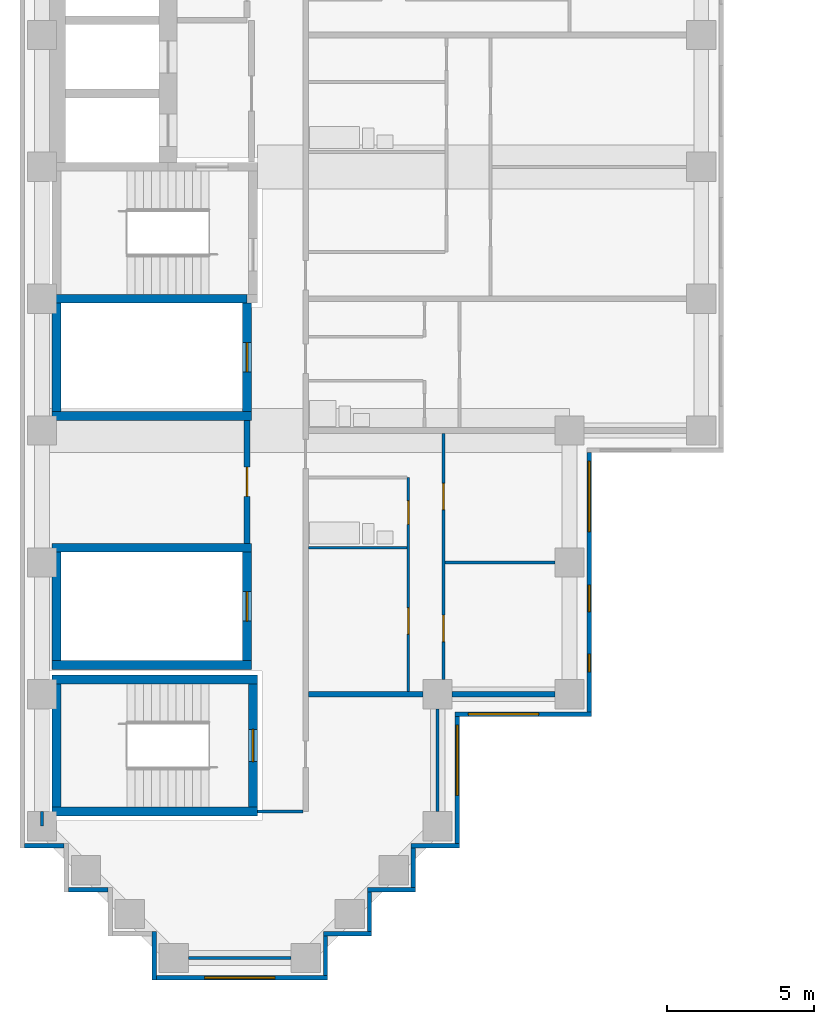
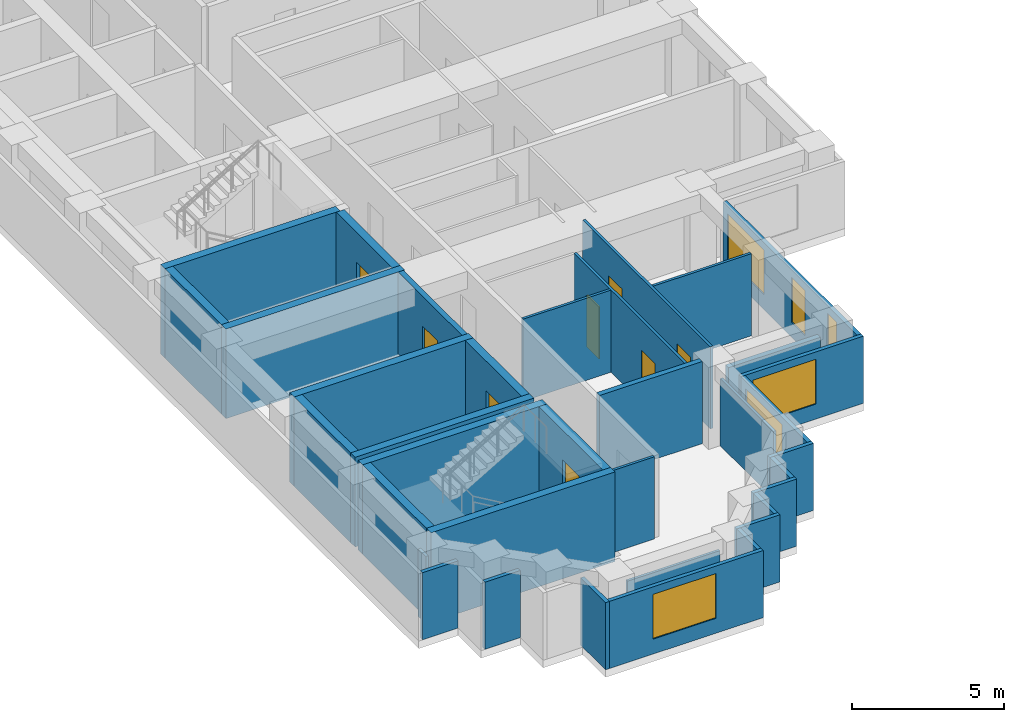
# One storey, part 2 of 12: 36 walls, 8 doors, 6 windows, 14 openings.
"""IFC4 building model written with IfcOpenShell, lengths in metres."""

from ifc_helpers import new_model, si_unit, direction, frame, frame_2d, origin, place, context, subcontext, project, spatial, rectangle, extrude, material, layer, layer_set, type_object, element, fill, save


model = new_model("IFC4")

# Units and contexts
model_context = context("Model", 3, precision=1e-05, world=origin(), true_north=direction((0.0, 1.0)))
body_context = subcontext(model_context, "Body", "Model", "MODEL_VIEW")
ifc_project = project(units=[si_unit("LENGTHUNIT", "METRE"), si_unit("AREAUNIT", "SQUARE_METRE"), si_unit("VOLUMEUNIT", "CUBIC_METRE"), si_unit("PLANEANGLEUNIT", "RADIAN"), si_unit("MASSUNIT", "GRAM", prefix="KILO")], contexts=[model_context])

# Site, building, storey
site_placement = place(None, origin())
site = spatial("IfcSite", under=ifc_project, at=site_placement, CompositionType="ELEMENT")
building_placement = place(site_placement, origin())
building = spatial("IfcBuilding", under=site, at=building_placement, Name="Firuza Court", CompositionType="ELEMENT")
storey_placement = place(building_placement, frame((0.0, 0.0, 144.800048828125)))
storey = spatial("IfcBuildingStorey", under=building, at=storey_placement, Name="L36", CompositionType="ELEMENT", Elevation=144.800048828125)

# Walls
ifc_material_1 = material(Name="Moisture-resistant gypsum board partition")
ifc_layer_1 = layer(ifc_material_1, 0.10009765625)
ifc_layer_set_1 = layer_set([ifc_layer_1], Name="Moisture-resistant gypsum board partition")
wall_type_1 = type_object("IfcWallType", Name="Bathroom partition 100", PredefinedType="PLUMBINGWALL", material=ifc_layer_set_1)
wall_1_placement = place(storey_placement, frame((9.10009765625, 14.0, 0.0), z_axis=(0.0, 0.0, 1.0), x_axis=(1.0, 0.0, 0.0)))
element("IfcWall", 1, at=wall_1_placement, inside=storey, type_object=wall_type_1, Name="Bathroom partition 100 L36", PredefinedType="PLUMBINGWALL", context=body_context, shape_type="SweptSolid", body=[
    extrude(rectangle(XDim=3.349853515625, YDim=0.10009765625, at=frame_2d((1.6748046875, 0.0))), origin(), (0.0, 0.0, 1.0), 3.300048828125),
])
ifc_material_2 = material(Name="Concrete C60/75", Category="concrete")
ifc_layer_2 = layer(ifc_material_2, 0.300048828125)
ifc_layer_set_2 = layer_set([ifc_layer_2], Name="Concrete C60/75")
wall_type_2 = type_object("IfcWallType", Name="Core wall 300 C60/75", PredefinedType="SHEAR", material=ifc_layer_set_2)
for number, where, z_axis, x_axis, name in (
    (2, (0.35009765625, 5.0, -0.300048828125), (0.0, 0.0, 1.0), (1.0, 0.0, 0.0), "Core wall stair L36"),
    (3, (0.35009765625, 9.5, -0.300048828125), (0.0, 0.0, 1.0), (1.0, 0.0, 0.0), "Core wall stair L36"),
):
    element("IfcWall", number, at=place(storey_placement, frame(where, z_axis=z_axis, x_axis=x_axis)), inside=storey, type_object=wall_type_2, Name=name, PredefinedType="SHEAR", context=body_context, shape_type="SweptSolid", body=[
        extrude(rectangle(XDim=7.0, YDim=0.300048828125, at=frame_2d((3.5, 0.0))), origin(), (0.0, 0.0, 1.0), 3.60009765625),
    ])
for number, where, z_axis, x_axis, name in (
    (4, (0.35009765625, 10.0, -0.300048828125), (0.0, 0.0, 1.0), (1.0, 0.0, 0.0), "Core wall riser L36"),
    (5, (0.35009765625, 14.0, -0.300048828125), (0.0, 0.0, 1.0), (1.0, 0.0, 0.0), "Core wall riser L36"),
    (6, (0.35009765625, 18.5, -0.300048828125), (0.0, 0.0, 1.0), (1.0, 0.0, 0.0), "Core wall riser L36"),
):
    element("IfcWall", number, at=place(storey_placement, frame(where, z_axis=z_axis, x_axis=x_axis)), inside=storey, type_object=wall_type_2, Name=name, PredefinedType="SHEAR", context=body_context, shape_type="SweptSolid", body=[
        extrude(rectangle(XDim=6.7998046875, YDim=0.300048828125, at=frame_2d((3.39990234375, 0.0))), origin(), (0.0, 0.0, 1.0), 3.60009765625),
    ])
wall_2_placement = place(storey_placement, frame((0.35009765625, 22.5, -0.300048828125), z_axis=(0.0, 0.0, 1.0), x_axis=(1.0, 0.0, 0.0)))
element("IfcWall", 7, at=wall_2_placement, inside=storey, type_object=wall_type_2, Name="Core wall riser L36", PredefinedType="SHEAR", context=body_context, shape_type="SweptSolid", body=[
    extrude(rectangle(XDim=6.64990234375, YDim=0.300048828125, at=frame_2d((3.324951171875, 0.0))), origin(), (0.0, 0.0, 1.0), 3.60009765625),
])
wall_3_placement = place(storey_placement, frame((0.5, 5.14990234375, -0.300048828125), z_axis=(0.0, 0.0, 1.0), x_axis=(0.0, 1.0, 0.0)))
element("IfcWall", 8, at=wall_3_placement, inside=storey, type_object=wall_type_2, Name="Core wall stair L36", PredefinedType="SHEAR", context=body_context, shape_type="SweptSolid", body=[
    extrude(rectangle(XDim=4.2001953125, YDim=0.300048828125, at=frame_2d((2.10009765625, 0.0))), origin(), (0.0, 0.0, 1.0), 3.60009765625),
])
for number, where, z_axis, x_axis, name in (
    (9, (0.5, 10.14990234375, -0.300048828125), (0.0, 0.0, 1.0), (0.0, 1.0, 0.0), "Core wall riser L36"),
    (10, (0.5, 18.64990234375, -0.300048828125), (0.0, 0.0, 1.0), (0.0, 1.0, 0.0), "Core wall riser L36"),
):
    element("IfcWall", number, at=place(storey_placement, frame(where, z_axis=z_axis, x_axis=x_axis)), inside=storey, type_object=wall_type_2, Name=name, PredefinedType="SHEAR", context=body_context, shape_type="SweptSolid", body=[
        extrude(rectangle(XDim=3.7001953125, YDim=0.300048828125, at=frame_2d((1.85009765625, 0.0))), origin(), (0.0, 0.0, 1.0), 3.60009765625),
    ])

# Wall, opening, door
wall_4_placement = place(storey_placement, frame((7.0, 10.14990234375, -0.300048828125), z_axis=(0.0, 0.0, 1.0), x_axis=(0.0, 1.0, 0.0)))
wall_4 = element("IfcWall", 11, at=wall_4_placement, inside=storey, type_object=wall_type_2, Name="Core wall riser L36", PredefinedType="SHEAR", context=body_context, shape_type="SweptSolid", body=[
    extrude(rectangle(XDim=3.7001953125, YDim=0.300048828125, at=frame_2d((1.85009765625, 0.0))), origin(), (0.0, 0.0, 1.0), 3.60009765625),
])
opening_1_placement = place(wall_4_placement, frame((1.35009765625, 0.0, 0.300048828125)))
opening_1 = element("IfcOpeningElement", 12, at=opening_1_placement, cuts=wall_4, Name="Opening D36011", PredefinedType="OPENING", context=body_context, shape_type="SweptSolid", body=[
    extrude(rectangle(XDim=1.0, YDim=2.10009765625, at=frame_2d((0.5, 1.050048828125))), frame((0.0, 0.162109375, 0.0), z_axis=(0.0, -1.0, 0.0), x_axis=(1.0, 0.0, 0.0)), (0.0, 0.0, 1.0), 0.323974609375),
])
ifc_material_3 = material(Name="Timber door leaf in hardwood frame", Category="wood")
door_type_1 = type_object("IfcDoorType", Name="Riser door 1000", OperationType="SINGLE_SWING_LEFT", PredefinedType="DOOR", material=ifc_material_3)
door_1_placement = place(opening_1_placement, origin())
door_1 = element("IfcDoor", 13, at=door_1_placement, inside=storey, type_object=door_type_1, Name="Riser door R4", OperationType="SINGLE_SWING_LEFT", OverallHeight=2.10009765625, OverallWidth=1.0, PredefinedType="DOOR", context=body_context, shape_type="SweptSolid", body=[
    extrude(rectangle(XDim=1.0, YDim=2.10009765625, at=frame_2d((0.5, 1.050048828125))), frame((0.0, 0.02490234375, 0.0), z_axis=(0.0, -1.0, 0.0), x_axis=(1.0, 0.0, 0.0)), (0.0, 0.0, 1.0), 0.050048828125),
])
fill(opening_1, door_1)

wall_5_placement = place(storey_placement, frame((7.0, 18.64990234375, -0.300048828125), z_axis=(0.0, 0.0, 1.0), x_axis=(0.0, 1.0, 0.0)))
wall_5 = element("IfcWall", 14, at=wall_5_placement, inside=storey, type_object=wall_type_2, Name="Core wall riser L36", PredefinedType="SHEAR", context=body_context, shape_type="SweptSolid", body=[
    extrude(rectangle(XDim=3.7001953125, YDim=0.300048828125, at=frame_2d((1.85009765625, 0.0))), origin(), (0.0, 0.0, 1.0), 3.60009765625),
])
opening_2_placement = place(wall_5_placement, frame((1.35009765625, 0.0, 0.300048828125)))
opening_2 = element("IfcOpeningElement", 15, at=opening_2_placement, cuts=wall_5, Name="Opening D36009", PredefinedType="OPENING", context=body_context, shape_type="SweptSolid", body=[
    extrude(rectangle(XDim=1.0, YDim=2.10009765625, at=frame_2d((0.5, 1.050048828125))), frame((0.0, 0.162109375, 0.0), z_axis=(0.0, -1.0, 0.0), x_axis=(1.0, 0.0, 0.0)), (0.0, 0.0, 1.0), 0.323974609375),
])
door_2_placement = place(opening_2_placement, origin())
door_2 = element("IfcDoor", 16, at=door_2_placement, inside=storey, type_object=door_type_1, Name="Riser door R1", OperationType="SINGLE_SWING_LEFT", OverallHeight=2.10009765625, OverallWidth=1.0, PredefinedType="DOOR", context=body_context, shape_type="SweptSolid", body=[
    extrude(rectangle(XDim=1.0, YDim=2.10009765625, at=frame_2d((0.5, 1.050048828125))), frame((0.0, 0.02490234375, 0.0), z_axis=(0.0, -1.0, 0.0), x_axis=(1.0, 0.0, 0.0)), (0.0, 0.0, 1.0), 0.050048828125),
])
fill(opening_2, door_2)

wall_6_placement = place(storey_placement, frame((7.199951171875, 5.14990234375, -0.300048828125), z_axis=(0.0, 0.0, 1.0), x_axis=(0.0, 1.0, 0.0)))
wall_6 = element("IfcWall", 17, at=wall_6_placement, inside=storey, type_object=wall_type_2, Name="Core wall stair L36", PredefinedType="SHEAR", context=body_context, shape_type="SweptSolid", body=[
    extrude(rectangle(XDim=4.2001953125, YDim=0.300048828125, at=frame_2d((2.10009765625, 0.0))), origin(), (0.0, 0.0, 1.0), 3.60009765625),
])
opening_3_placement = place(wall_6_placement, frame((1.550048828125, 0.0, 0.300048828125)))
opening_3 = element("IfcOpeningElement", 18, at=opening_3_placement, cuts=wall_6, Name="Opening D36017", PredefinedType="OPENING", context=body_context, shape_type="SweptSolid", body=[
    extrude(rectangle(XDim=1.10009765625, YDim=2.10009765625, at=frame_2d((0.550048828125, 1.050048828125))), frame((0.0, 0.162109375, 0.0), z_axis=(0.0, -1.0, 0.0), x_axis=(1.0, 0.0, 0.0)), (0.0, 0.0, 1.0), 0.323974609375),
])
ifc_material_4 = material(Name="Timber door leaf in hardwood frame", Category="wood")
door_type_2 = type_object("IfcDoorType", Name="Stair door 1100", OperationType="SINGLE_SWING_LEFT", PredefinedType="DOOR", material=ifc_material_4)
door_3_placement = place(opening_3_placement, origin())
door_3 = element("IfcDoor", 19, at=door_3_placement, inside=storey, type_object=door_type_2, Name="Stair door S5", OperationType="SINGLE_SWING_LEFT", OverallHeight=2.10009765625, OverallWidth=1.10009765625, PredefinedType="DOOR", context=body_context, shape_type="SweptSolid", body=[
    extrude(rectangle(XDim=1.10009765625, YDim=2.10009765625, at=frame_2d((0.550048828125, 1.050048828125))), frame((0.0, 0.02490234375, 0.0), z_axis=(0.0, -1.0, 0.0), x_axis=(1.0, 0.0, 0.0)), (0.0, 0.0, 1.0), 0.050048828125),
])
fill(opening_3, door_3)

ifc_material_5 = material(Name="Blockwork, plastered both sides", Category="masonry")
ifc_layer_3 = layer(ifc_material_5, 0.199951171875)
ifc_layer_set_3 = layer_set([ifc_layer_3], Name="Blockwork, plastered both sides")
wall_type_3 = type_object("IfcWallType", Name="Corridor wall 200", PredefinedType="PARTITIONING", material=ifc_layer_set_3)
wall_7_placement = place(storey_placement, frame((7.0, 14.14990234375, 0.0), z_axis=(0.0, 0.0, 1.0), x_axis=(0.0, 1.0, 0.0)))
wall_7 = element("IfcWall", 20, at=wall_7_placement, inside=storey, type_object=wall_type_3, Name="Corridor wall 200 L36", PredefinedType="PARTITIONING", context=body_context, shape_type="SweptSolid", body=[
    extrude(rectangle(XDim=4.2001953125, YDim=0.199951171875, at=frame_2d((2.10009765625, 0.0))), origin(), (0.0, 0.0, 1.0), 3.300048828125),
])
opening_4_placement = place(wall_7_placement, frame((1.60009765625, 0.0, 0.0)))
opening_4 = element("IfcOpeningElement", 21, at=opening_4_placement, cuts=wall_7, Name="Opening D36026", PredefinedType="OPENING", context=body_context, shape_type="SweptSolid", body=[
    extrude(rectangle(XDim=1.0, YDim=2.10009765625, at=frame_2d((0.5, 1.050048828125))), frame((0.0, 0.11181640625, 0.0), z_axis=(0.0, -1.0, 0.0), x_axis=(1.0, 0.0, 0.0)), (0.0, 0.0, 1.0), 0.223876953125),
])
ifc_material_6 = material(Name="Timber door leaf in hardwood frame", Category="wood")
door_type_3 = type_object("IfcDoorType", Name="Store door 1000", OperationType="SINGLE_SWING_LEFT", PredefinedType="DOOR", material=ifc_material_6)
door_4_placement = place(opening_4_placement, origin())
door_4 = element("IfcDoor", 22, at=door_4_placement, inside=storey, type_object=door_type_3, Name="Electrical room door", OperationType="SINGLE_SWING_LEFT", OverallHeight=2.10009765625, OverallWidth=1.0, PredefinedType="DOOR", context=body_context, shape_type="SweptSolid", body=[
    extrude(rectangle(XDim=1.0, YDim=2.10009765625, at=frame_2d((0.5, 1.050048828125))), frame((0.0, 0.02490234375, 0.0), z_axis=(0.0, -1.0, 0.0), x_axis=(1.0, 0.0, 0.0)), (0.0, 0.0, 1.0), 0.050048828125),
])
fill(opening_4, door_4)

# Walls
ifc_material_7 = material(Name="Timber stud partition, plasterboard both sides", Category="wood")
ifc_layer_4 = layer(ifc_material_7, 0.10009765625)
ifc_layer_set_4 = layer_set([ifc_layer_4], Name="Timber stud partition, plasterboard both sides")
wall_type_4 = type_object("IfcWallType", Name="Partition wall 100", PredefinedType="PARTITIONING", material=ifc_layer_set_4)
wall_8_placement = place(storey_placement, frame((5.0, 0.0, 0.0), z_axis=(0.0, 0.0, 1.0), x_axis=(1.0, 0.0, 0.0)))
element("IfcWall", 23, at=wall_8_placement, inside=storey, type_object=wall_type_4, Name="Partition wall 100 L36", PredefinedType="PARTITIONING", context=body_context, shape_type="SweptSolid", body=[
    extrude(rectangle(XDim=3.5, YDim=0.10009765625, at=frame_2d((1.75, 0.0))), origin(), (0.0, 0.0, 1.0), 2.699951171875),
])
wall_9_placement = place(storey_placement, frame((0.0, 4.5, 0.0), z_axis=(0.0, 0.0, 1.0), x_axis=(0.0, 1.0, 0.0)))
element("IfcWall", 24, at=wall_9_placement, inside=storey, type_object=wall_type_4, Name="Partition wall 100 L36", PredefinedType="PARTITIONING", context=body_context, shape_type="SweptSolid", body=[
    extrude(rectangle(XDim=0.5, YDim=0.10009765625, at=frame_2d((0.25, 0.0))), origin(), (0.0, 0.0, 1.0), 2.699951171875),
])
wall_10_placement = place(storey_placement, frame((7.34912109375, 5.0, 0.0), z_axis=(0.0, 0.0, 1.0), x_axis=(1.0, 0.0, 0.0)))
element("IfcWall", 25, at=wall_10_placement, inside=storey, type_object=wall_type_4, Name="Partition wall 100 L36", PredefinedType="PARTITIONING", context=body_context, shape_type="SweptSolid", body=[
    extrude(rectangle(XDim=1.55078125, YDim=0.10009765625, at=frame_2d((0.775390625, 0.0))), origin(), (0.0, 0.0, 1.0), 3.300048828125),
])
wall_11_placement = place(storey_placement, frame((13.5, 5.0, 0.0), z_axis=(0.0, 0.0, 1.0), x_axis=(0.0, 1.0, 0.0)))
element("IfcWall", 26, at=wall_11_placement, inside=storey, type_object=wall_type_4, Name="Partition wall 100 L36", PredefinedType="PARTITIONING", context=body_context, shape_type="SweptSolid", body=[
    extrude(rectangle(XDim=3.5, YDim=0.10009765625, at=frame_2d((1.75, 0.0))), origin(), (0.0, 0.0, 1.0), 2.699951171875),
])

# Wall, openings, doors
wall_12_placement = place(storey_placement, frame((12.5, 9.10009765625, 0.0), z_axis=(0.0, 0.0, 1.0), x_axis=(0.0, 1.0, 0.0)))
wall_12 = element("IfcWall", 27, at=wall_12_placement, inside=storey, type_object=wall_type_4, Name="Partition wall 100 L36", PredefinedType="PARTITIONING", context=body_context, shape_type="SweptSolid", body=[
    extrude(rectangle(XDim=7.2998046875, YDim=0.10009765625, at=frame_2d((3.64990234375, 0.0))), origin(), (0.0, 0.0, 1.0), 3.300048828125),
])
opening_5_placement = place(wall_12_placement, frame((5.699951171875, 0.0, 0.0)))
opening_5 = element("IfcOpeningElement", 28, at=opening_5_placement, cuts=wall_12, Name="Opening D36022", PredefinedType="OPENING", context=body_context, shape_type="SweptSolid", body=[
    extrude(rectangle(XDim=0.800048828125, YDim=2.10009765625, at=frame_2d((0.39990234375, 1.050048828125))), frame((0.0, 0.06201171875, 0.0), z_axis=(0.0, -1.0, 0.0), x_axis=(1.0, 0.0, 0.0)), (0.0, 0.0, 1.0), 0.1240234375),
])
opening_6_placement = place(wall_12_placement, frame((1.949951171875, 0.0, 0.0)))
opening_6 = element("IfcOpeningElement", 29, at=opening_6_placement, cuts=wall_12, Name="Opening D36023", PredefinedType="OPENING", context=body_context, shape_type="SweptSolid", body=[
    extrude(rectangle(XDim=0.89990234375, YDim=2.10009765625, at=frame_2d((0.449951171875, 1.050048828125))), frame((0.0, 0.06201171875, 0.0), z_axis=(0.0, -1.0, 0.0), x_axis=(1.0, 0.0, 0.0)), (0.0, 0.0, 1.0), 0.1240234375),
])
ifc_material_8 = material(Name="Timber door leaf in hardwood frame", Category="wood")
door_type_4 = type_object("IfcDoorType", Name="Bathroom door 800", OperationType="SINGLE_SWING_LEFT", PredefinedType="DOOR", material=ifc_material_8)
door_5_placement = place(opening_5_placement, origin())
door_5 = element("IfcDoor", 30, at=door_5_placement, inside=storey, type_object=door_type_4, Name="Bathroom door", OperationType="SINGLE_SWING_LEFT", OverallHeight=2.10009765625, OverallWidth=0.800048828125, PredefinedType="DOOR", context=body_context, shape_type="SweptSolid", body=[
    extrude(rectangle(XDim=0.800048828125, YDim=2.10009765625, at=frame_2d((0.39990234375, 1.050048828125))), frame((0.0, 0.02490234375, 0.0), z_axis=(0.0, -1.0, 0.0), x_axis=(1.0, 0.0, 0.0)), (0.0, 0.0, 1.0), 0.050048828125),
])
fill(opening_5, door_5)
ifc_material_9 = material(Name="Timber door leaf in hardwood frame", Category="wood")
door_type_5 = type_object("IfcDoorType", Name="Room door 900", OperationType="SINGLE_SWING_LEFT", PredefinedType="DOOR", material=ifc_material_9)
door_6_placement = place(opening_6_placement, origin())
door_6 = element("IfcDoor", 31, at=door_6_placement, inside=storey, type_object=door_type_5, Name="Kitchen door", OperationType="SINGLE_SWING_LEFT", OverallHeight=2.10009765625, OverallWidth=0.89990234375, PredefinedType="DOOR", context=body_context, shape_type="SweptSolid", body=[
    extrude(rectangle(XDim=0.89990234375, YDim=2.10009765625, at=frame_2d((0.449951171875, 1.050048828125))), frame((0.0, 0.02490234375, 0.0), z_axis=(0.0, -1.0, 0.0), x_axis=(1.0, 0.0, 0.0)), (0.0, 0.0, 1.0), 0.050048828125),
])
fill(opening_6, door_6)

wall_13_placement = place(storey_placement, frame((13.699951171875, 9.5, 0.0), z_axis=(0.0, 0.0, 1.0), x_axis=(0.0, 1.0, 0.0)))
wall_13 = element("IfcWall", 32, at=wall_13_placement, inside=storey, type_object=wall_type_4, Name="Partition wall 100 L36", PredefinedType="PARTITIONING", context=body_context, shape_type="SweptSolid", body=[
    extrude(rectangle(XDim=8.39990234375, YDim=0.10009765625, at=frame_2d((4.199951171875, 0.0))), origin(), (0.0, 0.0, 1.0), 3.300048828125),
])
opening_7_placement = place(wall_13_placement, frame((1.300048828125, 0.0, 0.0)))
opening_7 = element("IfcOpeningElement", 33, at=opening_7_placement, cuts=wall_13, Name="Opening D36024", PredefinedType="OPENING", context=body_context, shape_type="SweptSolid", body=[
    extrude(rectangle(XDim=0.89990234375, YDim=2.10009765625, at=frame_2d((0.449951171875, 1.050048828125))), frame((0.0, 0.06201171875, 0.0), z_axis=(0.0, -1.0, 0.0), x_axis=(1.0, 0.0, 0.0)), (0.0, 0.0, 1.0), 0.1240234375),
])
opening_8_placement = place(wall_13_placement, frame((5.800048828125, 0.0, 0.0)))
opening_8 = element("IfcOpeningElement", 34, at=opening_8_placement, cuts=wall_13, Name="Opening D36025", PredefinedType="OPENING", context=body_context, shape_type="SweptSolid", body=[
    extrude(rectangle(XDim=0.89990234375, YDim=2.10009765625, at=frame_2d((0.449951171875, 1.050048828125))), frame((0.0, 0.06201171875, 0.0), z_axis=(0.0, -1.0, 0.0), x_axis=(1.0, 0.0, 0.0)), (0.0, 0.0, 1.0), 0.1240234375),
])
door_7_placement = place(opening_7_placement, frame((0.89990234375, 0.0, 0.0), z_axis=(0.0, 0.0, 1.0), x_axis=(-1.0, 0.0, 0.0)))
door_7 = element("IfcDoor", 35, at=door_7_placement, inside=storey, type_object=door_type_5, Name="Bedroom door", OperationType="SINGLE_SWING_RIGHT", OverallHeight=2.10009765625, OverallWidth=0.89990234375, PredefinedType="DOOR", context=body_context, shape_type="SweptSolid", body=[
    extrude(rectangle(XDim=0.89990234375, YDim=2.10009765625, at=frame_2d((0.449951171875, 1.050048828125))), frame((0.0, 0.02490234375, 0.0), z_axis=(0.0, -1.0, 0.0), x_axis=(1.0, 0.0, 0.0)), (0.0, 0.0, 1.0), 0.050048828125),
])
fill(opening_7, door_7)
door_8_placement = place(opening_8_placement, frame((0.89990234375, 0.0, 0.0), z_axis=(0.0, 0.0, 1.0), x_axis=(-1.0, 0.0, 0.0)))
door_8 = element("IfcDoor", 36, at=door_8_placement, inside=storey, type_object=door_type_5, Name="Living room door", OperationType="SINGLE_SWING_RIGHT", OverallHeight=2.10009765625, OverallWidth=0.89990234375, PredefinedType="DOOR", context=body_context, shape_type="SweptSolid", body=[
    extrude(rectangle(XDim=0.89990234375, YDim=2.10009765625, at=frame_2d((0.449951171875, 1.050048828125))), frame((0.0, 0.02490234375, 0.0), z_axis=(0.0, -1.0, 0.0), x_axis=(1.0, 0.0, 0.0)), (0.0, 0.0, 1.0), 0.050048828125),
])
fill(opening_8, door_8)

# Walls
wall_14_placement = place(storey_placement, frame((13.75, 13.5, 0.0), z_axis=(0.0, 0.0, 1.0), x_axis=(1.0, 0.0, 0.0)))
element("IfcWall", 37, at=wall_14_placement, inside=storey, type_object=wall_type_4, Name="Partition wall 100 L36", PredefinedType="PARTITIONING", context=body_context, shape_type="SweptSolid", body=[
    extrude(rectangle(XDim=3.75, YDim=0.10009765625, at=frame_2d((1.875, 0.0))), origin(), (0.0, 0.0, 1.0), 3.300048828125),
])
ifc_layer_5 = layer(ifc_material_5, 0.199951171875)
ifc_layer_set_5 = layer_set([ifc_layer_5], Name="Blockwork, plastered both sides")
wall_type_5 = type_object("IfcWallType", Name="Party wall 200", PredefinedType="PARTITIONING", material=ifc_layer_set_5)
wall_15_placement = place(storey_placement, frame((9.10009765625, 9.0, 0.0), z_axis=(0.0, 0.0, 1.0), x_axis=(1.0, 0.0, 0.0)))
element("IfcWall", 38, at=wall_15_placement, inside=storey, type_object=wall_type_5, Name="Party wall 200 L36", PredefinedType="PARTITIONING", context=body_context, shape_type="SweptSolid", body=[
    extrude(rectangle(XDim=3.89990234375, YDim=0.199951171875, at=frame_2d((1.949951171875, 0.0))), origin(), (0.0, 0.0, 1.0), 3.300048828125),
])
wall_16_placement = place(storey_placement, frame((14.0, 9.0, 0.0), z_axis=(0.0, 0.0, 1.0), x_axis=(1.0, 0.0, 0.0)))
element("IfcWall", 39, at=wall_16_placement, inside=storey, type_object=wall_type_5, Name="Party wall 200 L36", PredefinedType="PARTITIONING", context=body_context, shape_type="SweptSolid", body=[
    extrude(rectangle(XDim=3.5, YDim=0.199951171875, at=frame_2d((1.75, 0.0))), origin(), (0.0, 0.0, 1.0), 2.699951171875),
])
ifc_material_10 = material(Name="Ceramic tile", Category="ceramic")
ifc_layer_6 = layer(ifc_material_10, 0.02001953125)
ifc_material_11 = material(Name="Mineral wool insulation", Category="insulation")
ifc_layer_7 = layer(ifc_material_11, 0.050048828125)
ifc_material_12 = material(Name="Concrete C40/50 precast", Category="concrete")
ifc_layer_8 = layer(ifc_material_12, 0.080078125)
ifc_layer_set_6 = layer_set([ifc_layer_6, ifc_layer_7, ifc_layer_8], Name="Concrete C40/50 precast")
wall_type_6 = type_object("IfcWallType", Name="Precast cladding wall with turquoise TILE PANEL face 150", PredefinedType="STANDARD", material=ifc_layer_set_6)
wall_17_placement = place(storey_placement, frame((9.675048828125, -0.60009765625, 0.0), z_axis=(0.0, 0.0, 1.0), x_axis=(0.0, 1.0, 0.0)))
element("IfcWall", 40, at=wall_17_placement, inside=storey, type_object=wall_type_6, Name="Facade wall L36 E", PredefinedType="STANDARD", context=body_context, shape_type="SweptSolid", body=[
    extrude(rectangle(XDim=1.35009765625, YDim=0.14990234375, at=frame_2d((0.675048828125, 0.0))), origin(), (0.0, 0.0, 1.0), 2.699951171875),
])
wall_18_placement = place(storey_placement, frame((9.60009765625, 0.824951171875, 0.0), z_axis=(0.0, 0.0, 1.0), x_axis=(1.0, 0.0, 0.0)))
element("IfcWall", 41, at=wall_18_placement, inside=storey, type_object=wall_type_6, Name="Facade wall L36 S", PredefinedType="STANDARD", context=body_context, shape_type="SweptSolid", body=[
    extrude(rectangle(XDim=1.64990234375, YDim=0.14990234375, at=frame_2d((0.824951171875, 0.0))), origin(), (0.0, 0.0, 1.0), 2.699951171875),
])
wall_19_placement = place(storey_placement, frame((11.175048828125, 0.89990234375, 0.0), z_axis=(0.0, 0.0, 1.0), x_axis=(0.0, 1.0, 0.0)))
element("IfcWall", 42, at=wall_19_placement, inside=storey, type_object=wall_type_6, Name="Facade wall L36 E", PredefinedType="STANDARD", context=body_context, shape_type="SweptSolid", body=[
    extrude(rectangle(XDim=1.35009765625, YDim=0.14990234375, at=frame_2d((0.675048828125, 0.0))), origin(), (0.0, 0.0, 1.0), 2.699951171875),
])
wall_20_placement = place(storey_placement, frame((11.10009765625, 2.324951171875, 0.0), z_axis=(0.0, 0.0, 1.0), x_axis=(1.0, 0.0, 0.0)))
element("IfcWall", 43, at=wall_20_placement, inside=storey, type_object=wall_type_6, Name="Facade wall L36 S", PredefinedType="STANDARD", context=body_context, shape_type="SweptSolid", body=[
    extrude(rectangle(XDim=1.64990234375, YDim=0.14990234375, at=frame_2d((0.824951171875, 0.0))), origin(), (0.0, 0.0, 1.0), 2.699951171875),
])
wall_21_placement = place(storey_placement, frame((12.675048828125, 2.39990234375, 0.0), z_axis=(0.0, 0.0, 1.0), x_axis=(0.0, 1.0, 0.0)))
element("IfcWall", 44, at=wall_21_placement, inside=storey, type_object=wall_type_6, Name="Facade wall L36 E", PredefinedType="STANDARD", context=body_context, shape_type="SweptSolid", body=[
    extrude(rectangle(XDim=1.35009765625, YDim=0.14990234375, at=frame_2d((0.675048828125, 0.0))), origin(), (0.0, 0.0, 1.0), 2.699951171875),
])
wall_22_placement = place(storey_placement, frame((12.60009765625, 3.824951171875, 0.0), z_axis=(0.0, 0.0, 1.0), x_axis=(1.0, 0.0, 0.0)))
element("IfcWall", 45, at=wall_22_placement, inside=storey, type_object=wall_type_6, Name="Facade wall L36 S", PredefinedType="STANDARD", context=body_context, shape_type="SweptSolid", body=[
    extrude(rectangle(XDim=1.64990234375, YDim=0.14990234375, at=frame_2d((0.824951171875, 0.0))), origin(), (0.0, 0.0, 1.0), 2.699951171875),
])

# Wall, opening, window
wall_23_placement = place(storey_placement, frame((14.175048828125, 3.89990234375, 0.0), z_axis=(0.0, 0.0, 1.0), x_axis=(0.0, 1.0, 0.0)))
wall_23 = element("IfcWall", 46, at=wall_23_placement, inside=storey, type_object=wall_type_6, Name="Facade wall L36 E", PredefinedType="STANDARD", context=body_context, shape_type="SweptSolid", body=[
    extrude(rectangle(XDim=4.35009765625, YDim=0.14990234375, at=frame_2d((2.175048828125, 0.0))), origin(), (0.0, 0.0, 1.0), 2.699951171875),
])
opening_9_placement = place(wall_23_placement, frame((1.64990234375, 0.0, 0.60009765625)))
opening_9 = element("IfcOpeningElement", 47, at=opening_9_placement, cuts=wall_23, Name="Opening W1", PredefinedType="OPENING", context=body_context, shape_type="SweptSolid", body=[
    extrude(rectangle(XDim=2.39990234375, YDim=1.800048828125, at=frame_2d((1.199951171875, 0.89990234375))), frame((0.0, 0.0869140625, 0.0), z_axis=(0.0, -1.0, 0.0), x_axis=(1.0, 0.0, 0.0)), (0.0, 0.0, 1.0), 0.173828125),
])
ifc_material_13 = material(Name="Aluminium frame, triple clear glazing", Category="aluminium")
window_type_1 = type_object("IfcWindowType", Name="Window W1 2400 x 1800", PartitioningType="SINGLE_PANEL", PredefinedType="WINDOW", material=ifc_material_13)
window_1_placement = place(opening_9_placement, origin())
window_1 = element("IfcWindow", 48, at=window_1_placement, inside=storey, type_object=window_type_1, Name="Window L36", OverallHeight=1.800048828125, OverallWidth=2.39990234375, PartitioningType="SINGLE_PANEL", PredefinedType="WINDOW", context=body_context, shape_type="SweptSolid", body=[
    extrude(rectangle(XDim=2.39990234375, YDim=1.800048828125, at=frame_2d((1.199951171875, 0.89990234375))), frame((0.0, 0.030029296875, 0.0), z_axis=(0.0, -1.0, 0.0), x_axis=(1.0, 0.0, 0.0)), (0.0, 0.0, 1.0), 0.06005859375),
])
fill(opening_9, window_1)

wall_24_placement = place(storey_placement, frame((14.10009765625, 8.324951171875, 0.0), z_axis=(0.0, 0.0, 1.0), x_axis=(1.0, 0.0, 0.0)))
wall_24 = element("IfcWall", 49, at=wall_24_placement, inside=storey, type_object=wall_type_6, Name="Facade wall L36 S", PredefinedType="STANDARD", context=body_context, shape_type="SweptSolid", body=[
    extrude(rectangle(XDim=4.64990234375, YDim=0.14990234375, at=frame_2d((2.324951171875, 0.0))), origin(), (0.0, 0.0, 1.0), 2.699951171875),
])
opening_10_placement = place(wall_24_placement, frame((0.449951171875, 0.0, 0.60009765625)))
opening_10 = element("IfcOpeningElement", 50, at=opening_10_placement, cuts=wall_24, Name="Opening W1", PredefinedType="OPENING", context=body_context, shape_type="SweptSolid", body=[
    extrude(rectangle(XDim=2.39990234375, YDim=1.800048828125, at=frame_2d((1.199951171875, 0.89990234375))), frame((0.0, 0.0869140625, 0.0), z_axis=(0.0, -1.0, 0.0), x_axis=(1.0, 0.0, 0.0)), (0.0, 0.0, 1.0), 0.173828125),
])
window_2_placement = place(opening_10_placement, origin())
window_2 = element("IfcWindow", 51, at=window_2_placement, inside=storey, type_object=window_type_1, Name="Window L36", OverallHeight=1.800048828125, OverallWidth=2.39990234375, PartitioningType="SINGLE_PANEL", PredefinedType="WINDOW", context=body_context, shape_type="SweptSolid", body=[
    extrude(rectangle(XDim=2.39990234375, YDim=1.800048828125, at=frame_2d((1.199951171875, 0.89990234375))), frame((0.0, 0.030029296875, 0.0), z_axis=(0.0, -1.0, 0.0), x_axis=(1.0, 0.0, 0.0)), (0.0, 0.0, 1.0), 0.06005859375),
])
fill(opening_10, window_2)

# Wall, openings, windows
wall_25_placement = place(storey_placement, frame((18.675048828125, 8.39990234375, 0.0), z_axis=(0.0, 0.0, 1.0), x_axis=(0.0, 1.0, 0.0)))
wall_25 = element("IfcWall", 52, at=wall_25_placement, inside=storey, type_object=wall_type_6, Name="Facade wall L36 E", PredefinedType="STANDARD", context=body_context, shape_type="SweptSolid", body=[
    extrude(rectangle(XDim=8.85009765625, YDim=0.14990234375, at=frame_2d((4.425048828125, 0.0))), origin(), (0.0, 0.0, 1.0), 2.699951171875),
])
opening_11_placement = place(wall_25_placement, frame((1.3681640625, 0.0, 0.60009765625)))
opening_11 = element("IfcOpeningElement", 53, at=opening_11_placement, cuts=wall_25, Name="Opening W4", PredefinedType="OPENING", context=body_context, shape_type="SweptSolid", body=[
    extrude(rectangle(XDim=0.60009765625, YDim=1.800048828125, at=frame_2d((0.300048828125, 0.89990234375))), frame((0.0, 0.0869140625, 0.0), z_axis=(0.0, -1.0, 0.0), x_axis=(1.0, 0.0, 0.0)), (0.0, 0.0, 1.0), 0.173828125),
])
opening_12_placement = place(wall_25_placement, frame((3.422119140625, 0.0, 0.60009765625)))
opening_12 = element("IfcOpeningElement", 54, at=opening_12_placement, cuts=wall_25, Name="Opening W3", PredefinedType="OPENING", context=body_context, shape_type="SweptSolid", body=[
    extrude(rectangle(XDim=0.89990234375, YDim=1.800048828125, at=frame_2d((0.449951171875, 0.89990234375))), frame((0.0, 0.0869140625, 0.0), z_axis=(0.0, -1.0, 0.0), x_axis=(1.0, 0.0, 0.0)), (0.0, 0.0, 1.0), 0.173828125),
])
opening_13_placement = place(wall_25_placement, frame((6.14990234375, 0.0, 0.60009765625)))
opening_13 = element("IfcOpeningElement", 55, at=opening_13_placement, cuts=wall_25, Name="Opening W1", PredefinedType="OPENING", context=body_context, shape_type="SweptSolid", body=[
    extrude(rectangle(XDim=2.39990234375, YDim=1.800048828125, at=frame_2d((1.199951171875, 0.89990234375))), frame((0.0, 0.0869140625, 0.0), z_axis=(0.0, -1.0, 0.0), x_axis=(1.0, 0.0, 0.0)), (0.0, 0.0, 1.0), 0.173828125),
])
window_3_placement = place(opening_13_placement, origin())
window_3 = element("IfcWindow", 56, at=window_3_placement, inside=storey, type_object=window_type_1, Name="Window L36", OverallHeight=1.800048828125, OverallWidth=2.39990234375, PartitioningType="SINGLE_PANEL", PredefinedType="WINDOW", context=body_context, shape_type="SweptSolid", body=[
    extrude(rectangle(XDim=2.39990234375, YDim=1.800048828125, at=frame_2d((1.199951171875, 0.89990234375))), frame((0.0, 0.030029296875, 0.0), z_axis=(0.0, -1.0, 0.0), x_axis=(1.0, 0.0, 0.0)), (0.0, 0.0, 1.0), 0.06005859375),
])
fill(opening_13, window_3)
ifc_material_14 = material(Name="Aluminium frame, triple clear glazing", Category="aluminium")
window_type_2 = type_object("IfcWindowType", Name="Window W3 900 x 1800", PartitioningType="SINGLE_PANEL", PredefinedType="WINDOW", material=ifc_material_14)
window_4_placement = place(opening_12_placement, origin())
window_4 = element("IfcWindow", 57, at=window_4_placement, inside=storey, type_object=window_type_2, Name="Window L36", OverallHeight=1.800048828125, OverallWidth=0.89990234375, PartitioningType="SINGLE_PANEL", PredefinedType="WINDOW", context=body_context, shape_type="SweptSolid", body=[
    extrude(rectangle(XDim=0.89990234375, YDim=1.800048828125, at=frame_2d((0.449951171875, 0.89990234375))), frame((0.0, 0.030029296875, 0.0), z_axis=(0.0, -1.0, 0.0), x_axis=(1.0, 0.0, 0.0)), (0.0, 0.0, 1.0), 0.06005859375),
])
fill(opening_12, window_4)
ifc_material_15 = material(Name="Aluminium frame, triple clear glazing", Category="aluminium")
window_type_3 = type_object("IfcWindowType", Name="Window W4 600 x 1800", PartitioningType="SINGLE_PANEL", PredefinedType="WINDOW", material=ifc_material_15)
window_5_placement = place(opening_11_placement, origin())
window_5 = element("IfcWindow", 58, at=window_5_placement, inside=storey, type_object=window_type_3, Name="Window L36", OverallHeight=1.800048828125, OverallWidth=0.60009765625, PartitioningType="SINGLE_PANEL", PredefinedType="WINDOW", context=body_context, shape_type="SweptSolid", body=[
    extrude(rectangle(XDim=0.60009765625, YDim=1.800048828125, at=frame_2d((0.300048828125, 0.89990234375))), frame((0.0, 0.030029296875, 0.0), z_axis=(0.0, -1.0, 0.0), x_axis=(1.0, 0.0, 0.0)), (0.0, 0.0, 1.0), 0.06005859375),
])
fill(opening_11, window_5)

# Walls
for number, where, z_axis, x_axis, name in (
    (59, (-0.60009765625, 3.824951171875, 0.0), (0.0, 0.0, 1.0), (1.0, 0.0, 0.0), "Facade wall L36 S"),
    (60, (0.89990234375, 2.324951171875, 0.0), (0.0, 0.0, 1.0), (1.0, 0.0, 0.0), "Facade wall L36 S"),
):
    element("IfcWall", number, at=place(storey_placement, frame(where, z_axis=z_axis, x_axis=x_axis)), inside=storey, type_object=wall_type_6, Name=name, PredefinedType="STANDARD", context=body_context, shape_type="SweptSolid", body=[
        extrude(rectangle(XDim=1.35009765625, YDim=0.14990234375, at=frame_2d((0.675048828125, 0.0))), origin(), (0.0, 0.0, 1.0), 2.699951171875),
    ])
wall_26_placement = place(storey_placement, frame((3.824951171875, 0.89990234375, 0.0), z_axis=(0.0, 0.0, 1.0), x_axis=(0.0, -1.0, 0.0)))
element("IfcWall", 61, at=wall_26_placement, inside=storey, type_object=wall_type_6, Name="Facade wall L36 W", PredefinedType="STANDARD", context=body_context, shape_type="SweptSolid", body=[
    extrude(rectangle(XDim=1.64990234375, YDim=0.14990234375, at=frame_2d((0.824951171875, 0.0))), origin(), (0.0, 0.0, 1.0), 2.699951171875),
])

# Wall, opening, window
wall_27_placement = place(storey_placement, frame((3.89990234375, -0.675048828125, 0.0), z_axis=(0.0, 0.0, 1.0), x_axis=(1.0, 0.0, 0.0)))
wall_27 = element("IfcWall", 62, at=wall_27_placement, inside=storey, type_object=wall_type_6, Name="Facade wall L36 S", PredefinedType="STANDARD", context=body_context, shape_type="SweptSolid", body=[
    extrude(rectangle(XDim=5.85009765625, YDim=0.14990234375, at=frame_2d((2.925048828125, 0.0))), origin(), (0.0, 0.0, 1.0), 2.699951171875),
])
opening_14_placement = place(wall_27_placement, frame((1.64990234375, 0.0, 0.60009765625)))
opening_14 = element("IfcOpeningElement", 63, at=opening_14_placement, cuts=wall_27, Name="Opening W1", PredefinedType="OPENING", context=body_context, shape_type="SweptSolid", body=[
    extrude(rectangle(XDim=2.39990234375, YDim=1.800048828125, at=frame_2d((1.199951171875, 0.89990234375))), frame((0.0, 0.0869140625, 0.0), z_axis=(0.0, -1.0, 0.0), x_axis=(1.0, 0.0, 0.0)), (0.0, 0.0, 1.0), 0.173828125),
])
window_6_placement = place(opening_14_placement, origin())
window_6 = element("IfcWindow", 64, at=window_6_placement, inside=storey, type_object=window_type_1, Name="Window L36", OverallHeight=1.800048828125, OverallWidth=2.39990234375, PartitioningType="SINGLE_PANEL", PredefinedType="WINDOW", context=body_context, shape_type="SweptSolid", body=[
    extrude(rectangle(XDim=2.39990234375, YDim=1.800048828125, at=frame_2d((1.199951171875, 0.89990234375))), frame((0.0, 0.030029296875, 0.0), z_axis=(0.0, -1.0, 0.0), x_axis=(1.0, 0.0, 0.0)), (0.0, 0.0, 1.0), 0.06005859375),
])
fill(opening_14, window_6)

save(model, "model.ifc")
